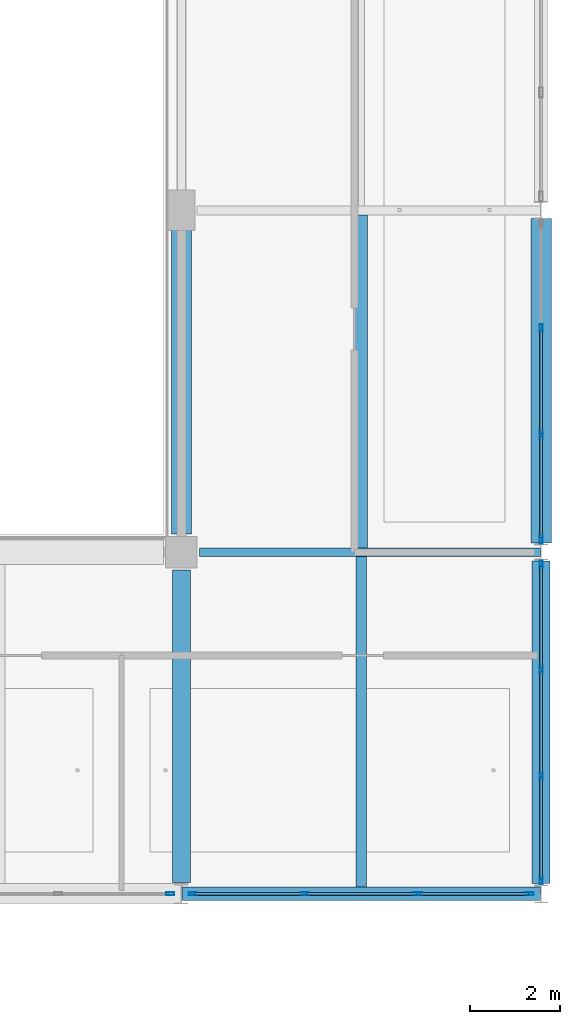
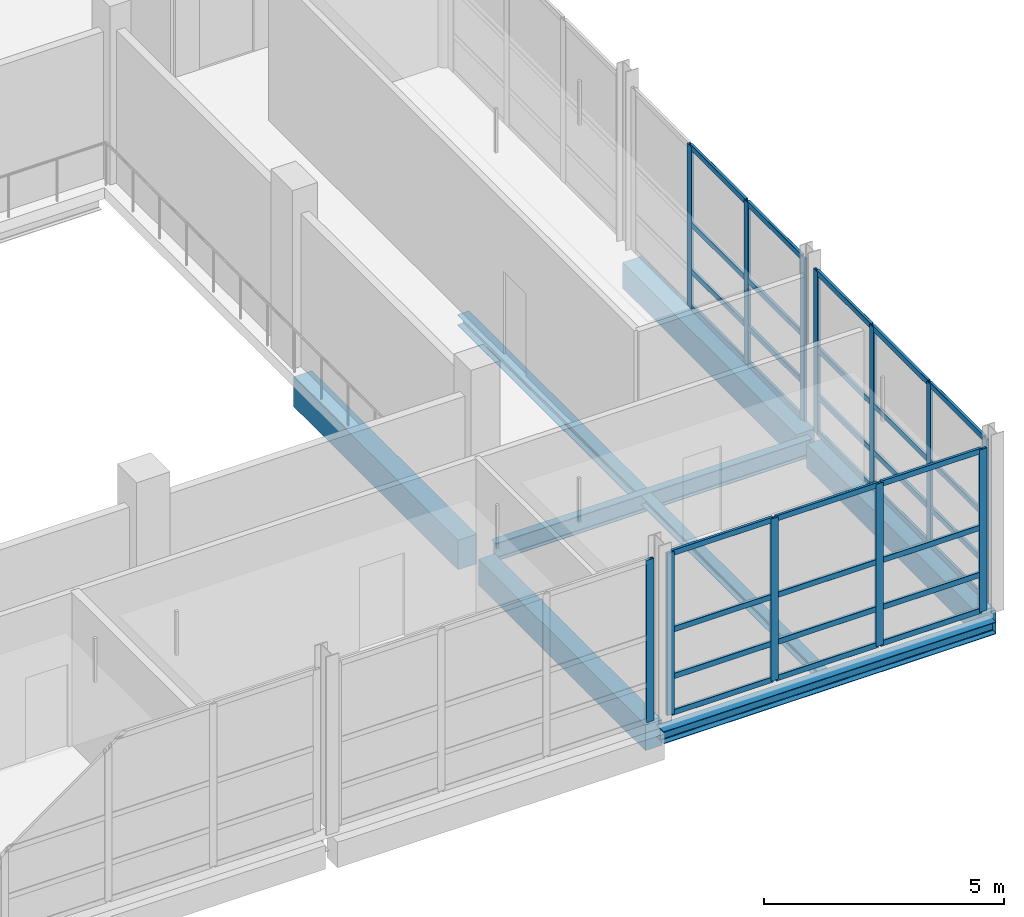
# One storey, part 38 of 107: 44 members, 8 beams, 4 elements without a shape of their own.
"""IFC4 building model written with IfcOpenShell, lengths in metres."""

from ifc_helpers import new_model, si_unit, direction, frame, origin, origin_2d, place, context, subcontext, project, spatial, rectangle, hollow_rectangle, i_section, extrude, material, material_profile, profile_set, type_object, element, aggregate, save


model = new_model("IFC4")

# Units and contexts
model_context = context("Model", 3, precision=1e-05, world=origin(), true_north=direction((0.0, 1.0)))
body_context = subcontext(model_context, "Body", "Model", "MODEL_VIEW")
ifc_project = project(units=[si_unit("LENGTHUNIT", "METRE"), si_unit("AREAUNIT", "SQUARE_METRE"), si_unit("VOLUMEUNIT", "CUBIC_METRE"), si_unit("PLANEANGLEUNIT", "RADIAN"), si_unit("MASSUNIT", "GRAM", prefix="KILO")], contexts=[model_context])

# Site, building, storey
site_placement = place(None, origin())
site = spatial("IfcSite", under=ifc_project, at=site_placement, CompositionType="ELEMENT")
building_placement = place(site_placement, origin())
building = spatial("IfcBuilding", under=site, at=building_placement, Name="Khelvaren Railside Concert Hall", CompositionType="ELEMENT")
storey_placement = place(building_placement, frame((0.0, 0.0, 15.0)))
storey = spatial("IfcBuildingStorey", under=building, at=storey_placement, Name="L03", CompositionType="ELEMENT", Elevation=15.0)

# Beams
ifc_material_1 = material(Name="Concrete C40/50", Category="concrete")
ifc_material_profile_1 = material_profile(ifc_material_1, rectangle(XDim=0.39990234375, YDim=0.64990234375, at=origin_2d()), Name="RCB 400x650")
ifc_profile_set_1 = profile_set([ifc_material_profile_1], Name="Concrete C40/50")
beam_type_1 = type_object("IfcBeamType", Name="BM33", PredefinedType="BEAM", material=ifc_profile_set_1)
beam_1_placement = place(storey_placement, frame((176.0, 0.25, -0.60498046875), z_axis=(0.0, 1.0, 0.0), x_axis=(-1.0, 0.0, 0.0)))
element("IfcBeam", 1, at=beam_1_placement, inside=storey, type_object=beam_type_1, Name="V2 L03 Beam Y5.1", PredefinedType="BEAM", context=body_context, shape_type="SweptSolid", body=[
    extrude(rectangle(XDim=0.39990234375, YDim=0.64990234375, at=origin_2d()), origin(), (0.0, 0.0, 1.0), 6.949951171875),
])
ifc_material_profile_2 = material_profile(ifc_material_1, rectangle(XDim=0.449951171875, YDim=0.75, at=origin_2d()), Name="RCB 450x750")
ifc_profile_set_2 = profile_set([ifc_material_profile_2], Name="Concrete C40/50")
beam_type_2 = type_object("IfcBeamType", Name="BM83", PredefinedType="BEAM", material=ifc_profile_set_2)
beam_2_placement = place(storey_placement, frame((176.0, 8.0, -0.655029296875), z_axis=(0.0, 1.0, 0.0), x_axis=(-1.0, 0.0, 0.0)))
element("IfcBeam", 2, at=beam_2_placement, inside=storey, type_object=beam_type_2, Name="V2 L03 Beam Y5.2", PredefinedType="BEAM", context=body_context, shape_type="SweptSolid", body=[
    extrude(rectangle(XDim=0.449951171875, YDim=0.75, at=origin_2d()), origin(), (0.0, 0.0, 1.0), 6.85009765625),
])
ifc_material_2 = material(Name="Steel S355", Category="steel")
ifc_material_profile_3 = material_profile(ifc_material_2, i_section(OverallWidth=0.18994140625, OverallDepth=0.449951171875, WebThickness=0.009521484375, FlangeThickness=0.0146484375, FilletRadius=0.02099609375, at=origin_2d()), Name="IPE 450")
ifc_profile_set_3 = profile_set([ifc_material_profile_3], Name="Steel S355")
beam_type_3 = type_object("IfcBeamType", Name="BM95", PredefinedType="BEAM", material=ifc_profile_set_3)
beam_3_placement = place(storey_placement, frame((176.39990234375, 7.60009765625, -0.5048828125), z_axis=(1.0, 0.0, 0.0), x_axis=(0.0, 1.0, 0.0)))
element("IfcBeam", 3, at=beam_3_placement, inside=storey, type_object=beam_type_3, Name="V2 L03 Beam X2.5", PredefinedType="BEAM", context=body_context, shape_type="SweptSolid", body=[
    extrude(i_section(OverallWidth=0.18994140625, OverallDepth=0.449951171875, WebThickness=0.009521484375, FlangeThickness=0.0146484375, FilletRadius=0.02099609375, at=origin_2d()), origin(), (0.0, 0.0, 1.0), 7.590087890625),
])

# Curtain wall, member
ifc_material_3 = material(Name="Double-glazed low-E dark acoustic glass", Category="glass")
curtain_wall_type_1 = type_object("IfcCurtainWallType", Name="CW69", PredefinedType="USERDEFINED", material=ifc_material_3)
curtain_wall_1_placement = place(storey_placement, origin())
curtain_wall_1 = element("IfcCurtainWall", 4, at=curtain_wall_1_placement, inside=storey, type_object=curtain_wall_type_1, Name="Unitised Curtain Wall CW-V2-L03-S-168", ObjectType="UNITISED CURTAIN WALL", PredefinedType="USERDEFINED")
ifc_material_4 = material(Name="Anodised architectural aluminium 6063-T6", Category="aluminium")
ifc_material_profile_4 = material_profile(ifc_material_4, hollow_rectangle(XDim=0.06494140625, YDim=0.179931640625, WallThickness=0.00390625, InnerFilletRadius=0.001953125, OuterFilletRadius=0.00390625, at=origin_2d()), Name="CWM 65x180x4")
ifc_profile_set_4 = profile_set([ifc_material_profile_4], Name="Anodised architectural aluminium 6063-T6")
member_type_1 = type_object("IfcMemberType", Name="CWM63", PredefinedType="MULLION", material=ifc_profile_set_4)
member_1_placement = place(storey_placement, frame((175.75, 0.0, 0.0), z_axis=(0.0, 0.0, 1.0), x_axis=(0.0, -1.0, 0.0)))
member_1 = element("IfcMember", 5, at=member_1_placement, type_object=member_type_1, Name="CW69 mullion 1", PredefinedType="MULLION", context=body_context, shape_type="SweptSolid", body=[
    extrude(hollow_rectangle(XDim=0.06494140625, YDim=0.179931640625, WallThickness=0.00390625, InnerFilletRadius=0.001953125, OuterFilletRadius=0.00390625, at=origin_2d()), origin(), (0.0, 0.0, 1.0), 4.1201171875),
])
aggregate(curtain_wall_1, [member_1])

# Curtain wall, members
curtain_wall_type_2 = type_object("IfcCurtainWallType", Name="CW32", PredefinedType="USERDEFINED", material=ifc_material_3)
curtain_wall_2_placement = place(storey_placement, origin())
curtain_wall_2 = element("IfcCurtainWall", 6, at=curtain_wall_2_placement, inside=storey, type_object=curtain_wall_type_2, Name="Unitised Curtain Wall CW-V2-L03-S-176", ObjectType="UNITISED CURTAIN WALL", PredefinedType="USERDEFINED")
member_2_placement = place(storey_placement, frame((183.75, 0.0, 0.0), z_axis=(0.0, 0.0, 1.0), x_axis=(0.0, -1.0, 0.0)))
member_2 = element("IfcMember", 7, at=member_2_placement, type_object=member_type_1, Name="CW32 mullion 1", PredefinedType="MULLION", context=body_context, shape_type="SweptSolid", body=[
    extrude(hollow_rectangle(XDim=0.06494140625, YDim=0.179931640625, WallThickness=0.00390625, InnerFilletRadius=0.001953125, OuterFilletRadius=0.00390625, at=origin_2d()), origin(), (0.0, 0.0, 1.0), 4.1201171875),
])
member_3_placement = place(storey_placement, frame((181.2607421875, 0.0, 0.0), z_axis=(0.0, 0.0, 1.0), x_axis=(0.0, -1.0, 0.0)))
member_3 = element("IfcMember", 8, at=member_3_placement, type_object=member_type_1, Name="CW32 mullion 2", PredefinedType="MULLION", context=body_context, shape_type="SweptSolid", body=[
    extrude(hollow_rectangle(XDim=0.06494140625, YDim=0.179931640625, WallThickness=0.00390625, InnerFilletRadius=0.001953125, OuterFilletRadius=0.00390625, at=origin_2d()), origin(), (0.0, 0.0, 1.0), 4.1201171875),
])
member_4_placement = place(storey_placement, frame((178.7392578125, 0.0, 0.0), z_axis=(0.0, 0.0, 1.0), x_axis=(0.0, -1.0, 0.0)))
member_4 = element("IfcMember", 9, at=member_4_placement, type_object=member_type_1, Name="CW32 mullion 3", PredefinedType="MULLION", context=body_context, shape_type="SweptSolid", body=[
    extrude(hollow_rectangle(XDim=0.06494140625, YDim=0.179931640625, WallThickness=0.00390625, InnerFilletRadius=0.001953125, OuterFilletRadius=0.00390625, at=origin_2d()), origin(), (0.0, 0.0, 1.0), 4.1201171875),
])
member_5_placement = place(storey_placement, frame((176.25, 0.0, 0.0), z_axis=(0.0, 0.0, 1.0), x_axis=(0.0, -1.0, 0.0)))
member_5 = element("IfcMember", 10, at=member_5_placement, type_object=member_type_1, Name="CW32 mullion 4", PredefinedType="MULLION", context=body_context, shape_type="SweptSolid", body=[
    extrude(hollow_rectangle(XDim=0.06494140625, YDim=0.179931640625, WallThickness=0.00390625, InnerFilletRadius=0.001953125, OuterFilletRadius=0.00390625, at=origin_2d()), origin(), (0.0, 0.0, 1.0), 4.1201171875),
])

curtain_wall_type_3 = type_object("IfcCurtainWallType", Name="CW65", PredefinedType="USERDEFINED", material=ifc_material_3)
curtain_wall_3_placement = place(storey_placement, origin())
curtain_wall_3 = element("IfcCurtainWall", 11, at=curtain_wall_3_placement, inside=storey, type_object=curtain_wall_type_3, Name="Unitised Curtain Wall CW-V2-L03-E-0", ObjectType="UNITISED CURTAIN WALL", PredefinedType="USERDEFINED")
member_6_placement = place(storey_placement, frame((184.0, 7.320068359375, 0.0), z_axis=(0.0, 0.0, 1.0), x_axis=(1.0, 0.0, 0.0)))
member_6 = element("IfcMember", 12, at=member_6_placement, type_object=member_type_1, Name="CW65 mullion 1", PredefinedType="MULLION", context=body_context, shape_type="SweptSolid", body=[
    extrude(hollow_rectangle(XDim=0.06494140625, YDim=0.179931640625, WallThickness=0.00390625, InnerFilletRadius=0.001953125, OuterFilletRadius=0.00390625, at=origin_2d()), origin(), (0.0, 0.0, 1.0), 4.1201171875),
])
member_7_placement = place(storey_placement, frame((184.0, 4.99072265625, 0.0), z_axis=(0.0, 0.0, 1.0), x_axis=(1.0, 0.0, 0.0)))
member_7 = element("IfcMember", 13, at=member_7_placement, type_object=member_type_1, Name="CW65 mullion 2", PredefinedType="MULLION", context=body_context, shape_type="SweptSolid", body=[
    extrude(hollow_rectangle(XDim=0.06494140625, YDim=0.179931640625, WallThickness=0.00390625, InnerFilletRadius=0.001953125, OuterFilletRadius=0.00390625, at=origin_2d()), origin(), (0.0, 0.0, 1.0), 4.1201171875),
])
member_8_placement = place(storey_placement, frame((184.0, 2.629150390625, 0.0), z_axis=(0.0, 0.0, 1.0), x_axis=(1.0, 0.0, 0.0)))
member_8 = element("IfcMember", 14, at=member_8_placement, type_object=member_type_1, Name="CW65 mullion 3", PredefinedType="MULLION", context=body_context, shape_type="SweptSolid", body=[
    extrude(hollow_rectangle(XDim=0.06494140625, YDim=0.179931640625, WallThickness=0.00390625, InnerFilletRadius=0.001953125, OuterFilletRadius=0.00390625, at=origin_2d()), origin(), (0.0, 0.0, 1.0), 4.1201171875),
])
member_9_placement = place(storey_placement, frame((184.0, 0.300048828125, 0.0), z_axis=(0.0, 0.0, 1.0), x_axis=(1.0, 0.0, 0.0)))
member_9 = element("IfcMember", 15, at=member_9_placement, type_object=member_type_1, Name="CW65 mullion 4", PredefinedType="MULLION", context=body_context, shape_type="SweptSolid", body=[
    extrude(hollow_rectangle(XDim=0.06494140625, YDim=0.179931640625, WallThickness=0.00390625, InnerFilletRadius=0.001953125, OuterFilletRadius=0.00390625, at=origin_2d()), origin(), (0.0, 0.0, 1.0), 4.1201171875),
])

curtain_wall_4_placement = place(storey_placement, origin())
curtain_wall_4 = element("IfcCurtainWall", 16, at=curtain_wall_4_placement, inside=storey, type_object=curtain_wall_type_1, Name="Unitised Curtain Wall CW-V2-L03-E-8", ObjectType="UNITISED CURTAIN WALL", PredefinedType="USERDEFINED")
member_10_placement = place(storey_placement, frame((184.0, 12.57421875, 0.0), z_axis=(0.0, 0.0, 1.0), x_axis=(1.0, 0.0, 0.0)))
member_10 = element("IfcMember", 17, at=member_10_placement, type_object=member_type_1, Name="CW69 mullion 2", PredefinedType="MULLION", context=body_context, shape_type="SweptSolid", body=[
    extrude(hollow_rectangle(XDim=0.06494140625, YDim=0.179931640625, WallThickness=0.00390625, InnerFilletRadius=0.001953125, OuterFilletRadius=0.00390625, at=origin_2d()), origin(), (0.0, 0.0, 1.0), 4.1201171875),
])
member_11_placement = place(storey_placement, frame((184.0, 10.2109375, 0.0), z_axis=(0.0, 0.0, 1.0), x_axis=(1.0, 0.0, 0.0)))
member_11 = element("IfcMember", 18, at=member_11_placement, type_object=member_type_1, Name="CW69 mullion 3", PredefinedType="MULLION", context=body_context, shape_type="SweptSolid", body=[
    extrude(hollow_rectangle(XDim=0.06494140625, YDim=0.179931640625, WallThickness=0.00390625, InnerFilletRadius=0.001953125, OuterFilletRadius=0.00390625, at=origin_2d()), origin(), (0.0, 0.0, 1.0), 4.1201171875),
])
member_12_placement = place(storey_placement, frame((184.0, 7.8798828125, 0.0), z_axis=(0.0, 0.0, 1.0), x_axis=(1.0, 0.0, 0.0)))
member_12 = element("IfcMember", 19, at=member_12_placement, type_object=member_type_1, Name="CW69 mullion 4", PredefinedType="MULLION", context=body_context, shape_type="SweptSolid", body=[
    extrude(hollow_rectangle(XDim=0.06494140625, YDim=0.179931640625, WallThickness=0.00390625, InnerFilletRadius=0.001953125, OuterFilletRadius=0.00390625, at=origin_2d()), origin(), (0.0, 0.0, 1.0), 4.1201171875),
])

# Member
ifc_material_profile_5 = material_profile(ifc_material_4, hollow_rectangle(XDim=0.06494140625, YDim=0.139892578125, WallThickness=0.00390625, InnerFilletRadius=0.001953125, OuterFilletRadius=0.00390625, at=origin_2d()), Name="CWT 65x140x4")
ifc_profile_set_5 = profile_set([ifc_material_profile_5], Name="Anodised architectural aluminium 6063-T6")
member_type_2 = type_object("IfcMemberType", Name="CWT72", PredefinedType="USERDEFINED", material=ifc_profile_set_5)
member_13_placement = place(storey_placement, frame((183.717529296875, 0.0, 0.032470703125), z_axis=(-1.0, 0.0, 0.0), x_axis=(0.0, -1.0, 0.0)))
member_13 = element("IfcMember", 20, at=member_13_placement, type_object=member_type_2, Name="CW32 transom 1.1", ObjectType="TRANSOM", PredefinedType="USERDEFINED", context=body_context, shape_type="SweptSolid", body=[
    extrude(hollow_rectangle(XDim=0.06494140625, YDim=0.139892578125, WallThickness=0.00390625, InnerFilletRadius=0.001953125, OuterFilletRadius=0.00390625, at=origin_2d()), origin(), (0.0, 0.0, 1.0), 2.42431640625),
])

member_14_placement = place(storey_placement, frame((183.717529296875, 0.0, 0.949951171875), z_axis=(-1.0, 0.0, 0.0), x_axis=(0.0, -1.0, 0.0)))
member_14 = element("IfcMember", 21, at=member_14_placement, type_object=member_type_2, Name="CW32 transom 1.2", ObjectType="TRANSOM", PredefinedType="USERDEFINED", context=body_context, shape_type="SweptSolid", body=[
    extrude(hollow_rectangle(XDim=0.06494140625, YDim=0.139892578125, WallThickness=0.00390625, InnerFilletRadius=0.001953125, OuterFilletRadius=0.00390625, at=origin_2d()), origin(), (0.0, 0.0, 1.0), 2.42431640625),
])

member_15_placement = place(storey_placement, frame((183.717529296875, 0.0, 2.142333984375), z_axis=(-1.0, 0.0, 0.0), x_axis=(0.0, -1.0, 0.0)))
member_15 = element("IfcMember", 22, at=member_15_placement, type_object=member_type_2, Name="CW32 transom 1.3", ObjectType="TRANSOM", PredefinedType="USERDEFINED", context=body_context, shape_type="SweptSolid", body=[
    extrude(hollow_rectangle(XDim=0.06494140625, YDim=0.139892578125, WallThickness=0.00390625, InnerFilletRadius=0.001953125, OuterFilletRadius=0.00390625, at=origin_2d()), origin(), (0.0, 0.0, 1.0), 2.42431640625),
])

member_16_placement = place(storey_placement, frame((183.717529296875, 0.0, 4.08740234375), z_axis=(-1.0, 0.0, 0.0), x_axis=(0.0, -1.0, 0.0)))
member_16 = element("IfcMember", 23, at=member_16_placement, type_object=member_type_2, Name="CW32 transom 1.4", ObjectType="TRANSOM", PredefinedType="USERDEFINED", context=body_context, shape_type="SweptSolid", body=[
    extrude(hollow_rectangle(XDim=0.06494140625, YDim=0.139892578125, WallThickness=0.00390625, InnerFilletRadius=0.001953125, OuterFilletRadius=0.00390625, at=origin_2d()), origin(), (0.0, 0.0, 1.0), 2.42431640625),
])

member_17_placement = place(storey_placement, frame((181.228271484375, 0.0, 0.032470703125), z_axis=(-1.0, 0.0, 0.0), x_axis=(0.0, -1.0, 0.0)))
member_17 = element("IfcMember", 24, at=member_17_placement, type_object=member_type_2, Name="CW32 transom 2.1", ObjectType="TRANSOM", PredefinedType="USERDEFINED", context=body_context, shape_type="SweptSolid", body=[
    extrude(hollow_rectangle(XDim=0.06494140625, YDim=0.139892578125, WallThickness=0.00390625, InnerFilletRadius=0.001953125, OuterFilletRadius=0.00390625, at=origin_2d()), origin(), (0.0, 0.0, 1.0), 2.45654296875),
])

member_18_placement = place(storey_placement, frame((181.228271484375, 0.0, 0.949951171875), z_axis=(-1.0, 0.0, 0.0), x_axis=(0.0, -1.0, 0.0)))
member_18 = element("IfcMember", 25, at=member_18_placement, type_object=member_type_2, Name="CW32 transom 2.2", ObjectType="TRANSOM", PredefinedType="USERDEFINED", context=body_context, shape_type="SweptSolid", body=[
    extrude(hollow_rectangle(XDim=0.06494140625, YDim=0.139892578125, WallThickness=0.00390625, InnerFilletRadius=0.001953125, OuterFilletRadius=0.00390625, at=origin_2d()), origin(), (0.0, 0.0, 1.0), 2.45654296875),
])

member_19_placement = place(storey_placement, frame((181.228271484375, 0.0, 2.142333984375), z_axis=(-1.0, 0.0, 0.0), x_axis=(0.0, -1.0, 0.0)))
member_19 = element("IfcMember", 26, at=member_19_placement, type_object=member_type_2, Name="CW32 transom 2.3", ObjectType="TRANSOM", PredefinedType="USERDEFINED", context=body_context, shape_type="SweptSolid", body=[
    extrude(hollow_rectangle(XDim=0.06494140625, YDim=0.139892578125, WallThickness=0.00390625, InnerFilletRadius=0.001953125, OuterFilletRadius=0.00390625, at=origin_2d()), origin(), (0.0, 0.0, 1.0), 2.45654296875),
])

member_20_placement = place(storey_placement, frame((181.228271484375, 0.0, 4.08740234375), z_axis=(-1.0, 0.0, 0.0), x_axis=(0.0, -1.0, 0.0)))
member_20 = element("IfcMember", 27, at=member_20_placement, type_object=member_type_2, Name="CW32 transom 2.4", ObjectType="TRANSOM", PredefinedType="USERDEFINED", context=body_context, shape_type="SweptSolid", body=[
    extrude(hollow_rectangle(XDim=0.06494140625, YDim=0.139892578125, WallThickness=0.00390625, InnerFilletRadius=0.001953125, OuterFilletRadius=0.00390625, at=origin_2d()), origin(), (0.0, 0.0, 1.0), 2.45654296875),
])

member_21_placement = place(storey_placement, frame((178.706787109375, 0.0, 0.032470703125), z_axis=(-1.0, 0.0, 0.0), x_axis=(0.0, -1.0, 0.0)))
member_21 = element("IfcMember", 28, at=member_21_placement, type_object=member_type_2, Name="CW32 transom 3.1", ObjectType="TRANSOM", PredefinedType="USERDEFINED", context=body_context, shape_type="SweptSolid", body=[
    extrude(hollow_rectangle(XDim=0.06494140625, YDim=0.139892578125, WallThickness=0.00390625, InnerFilletRadius=0.001953125, OuterFilletRadius=0.00390625, at=origin_2d()), origin(), (0.0, 0.0, 1.0), 2.42431640625),
])

member_22_placement = place(storey_placement, frame((178.706787109375, 0.0, 0.949951171875), z_axis=(-1.0, 0.0, 0.0), x_axis=(0.0, -1.0, 0.0)))
member_22 = element("IfcMember", 29, at=member_22_placement, type_object=member_type_2, Name="CW32 transom 3.2", ObjectType="TRANSOM", PredefinedType="USERDEFINED", context=body_context, shape_type="SweptSolid", body=[
    extrude(hollow_rectangle(XDim=0.06494140625, YDim=0.139892578125, WallThickness=0.00390625, InnerFilletRadius=0.001953125, OuterFilletRadius=0.00390625, at=origin_2d()), origin(), (0.0, 0.0, 1.0), 2.42431640625),
])

member_23_placement = place(storey_placement, frame((178.706787109375, 0.0, 2.142333984375), z_axis=(-1.0, 0.0, 0.0), x_axis=(0.0, -1.0, 0.0)))
member_23 = element("IfcMember", 30, at=member_23_placement, type_object=member_type_2, Name="CW32 transom 3.3", ObjectType="TRANSOM", PredefinedType="USERDEFINED", context=body_context, shape_type="SweptSolid", body=[
    extrude(hollow_rectangle(XDim=0.06494140625, YDim=0.139892578125, WallThickness=0.00390625, InnerFilletRadius=0.001953125, OuterFilletRadius=0.00390625, at=origin_2d()), origin(), (0.0, 0.0, 1.0), 2.42431640625),
])

member_24_placement = place(storey_placement, frame((178.706787109375, 0.0, 4.08740234375), z_axis=(-1.0, 0.0, 0.0), x_axis=(0.0, -1.0, 0.0)))
member_24 = element("IfcMember", 31, at=member_24_placement, type_object=member_type_2, Name="CW32 transom 3.4", ObjectType="TRANSOM", PredefinedType="USERDEFINED", context=body_context, shape_type="SweptSolid", body=[
    extrude(hollow_rectangle(XDim=0.06494140625, YDim=0.139892578125, WallThickness=0.00390625, InnerFilletRadius=0.001953125, OuterFilletRadius=0.00390625, at=origin_2d()), origin(), (0.0, 0.0, 1.0), 2.42431640625),
])

aggregate(curtain_wall_2, [member_2, member_3, member_4, member_5, member_13, member_14, member_15, member_16, member_17, member_18, member_19, member_20, member_21, member_22, member_23, member_24])

member_25_placement = place(storey_placement, frame((184.0, 7.28759765625, 0.032470703125), z_axis=(0.0, -1.0, 0.0), x_axis=(1.0, 0.0, 0.0)))
member_25 = element("IfcMember", 32, at=member_25_placement, type_object=member_type_2, Name="CW65 transom 1.1", ObjectType="TRANSOM", PredefinedType="USERDEFINED", context=body_context, shape_type="SweptSolid", body=[
    extrude(hollow_rectangle(XDim=0.06494140625, YDim=0.139892578125, WallThickness=0.00390625, InnerFilletRadius=0.001953125, OuterFilletRadius=0.00390625, at=origin_2d()), origin(), (0.0, 0.0, 1.0), 2.26416015625),
])

member_26_placement = place(storey_placement, frame((184.0, 7.28759765625, 0.949951171875), z_axis=(0.0, -1.0, 0.0), x_axis=(1.0, 0.0, 0.0)))
member_26 = element("IfcMember", 33, at=member_26_placement, type_object=member_type_2, Name="CW65 transom 1.2", ObjectType="TRANSOM", PredefinedType="USERDEFINED", context=body_context, shape_type="SweptSolid", body=[
    extrude(hollow_rectangle(XDim=0.06494140625, YDim=0.139892578125, WallThickness=0.00390625, InnerFilletRadius=0.001953125, OuterFilletRadius=0.00390625, at=origin_2d()), origin(), (0.0, 0.0, 1.0), 2.26416015625),
])

member_27_placement = place(storey_placement, frame((184.0, 7.28759765625, 2.142333984375), z_axis=(0.0, -1.0, 0.0), x_axis=(1.0, 0.0, 0.0)))
member_27 = element("IfcMember", 34, at=member_27_placement, type_object=member_type_2, Name="CW65 transom 1.3", ObjectType="TRANSOM", PredefinedType="USERDEFINED", context=body_context, shape_type="SweptSolid", body=[
    extrude(hollow_rectangle(XDim=0.06494140625, YDim=0.139892578125, WallThickness=0.00390625, InnerFilletRadius=0.001953125, OuterFilletRadius=0.00390625, at=origin_2d()), origin(), (0.0, 0.0, 1.0), 2.26416015625),
])

member_28_placement = place(storey_placement, frame((184.0, 7.28759765625, 4.08740234375), z_axis=(0.0, -1.0, 0.0), x_axis=(1.0, 0.0, 0.0)))
member_28 = element("IfcMember", 35, at=member_28_placement, type_object=member_type_2, Name="CW65 transom 1.4", ObjectType="TRANSOM", PredefinedType="USERDEFINED", context=body_context, shape_type="SweptSolid", body=[
    extrude(hollow_rectangle(XDim=0.06494140625, YDim=0.139892578125, WallThickness=0.00390625, InnerFilletRadius=0.001953125, OuterFilletRadius=0.00390625, at=origin_2d()), origin(), (0.0, 0.0, 1.0), 2.26416015625),
])

member_29_placement = place(storey_placement, frame((184.0, 4.958251953125, 0.032470703125), z_axis=(0.0, -1.0, 0.0), x_axis=(1.0, 0.0, 0.0)))
member_29 = element("IfcMember", 36, at=member_29_placement, type_object=member_type_2, Name="CW65 transom 2.1", ObjectType="TRANSOM", PredefinedType="USERDEFINED", context=body_context, shape_type="SweptSolid", body=[
    extrude(hollow_rectangle(XDim=0.06494140625, YDim=0.139892578125, WallThickness=0.00390625, InnerFilletRadius=0.001953125, OuterFilletRadius=0.00390625, at=origin_2d()), origin(), (0.0, 0.0, 1.0), 2.296630859375),
])

member_30_placement = place(storey_placement, frame((184.0, 4.958251953125, 0.949951171875), z_axis=(0.0, -1.0, 0.0), x_axis=(1.0, 0.0, 0.0)))
member_30 = element("IfcMember", 37, at=member_30_placement, type_object=member_type_2, Name="CW65 transom 2.2", ObjectType="TRANSOM", PredefinedType="USERDEFINED", context=body_context, shape_type="SweptSolid", body=[
    extrude(hollow_rectangle(XDim=0.06494140625, YDim=0.139892578125, WallThickness=0.00390625, InnerFilletRadius=0.001953125, OuterFilletRadius=0.00390625, at=origin_2d()), origin(), (0.0, 0.0, 1.0), 2.296630859375),
])

member_31_placement = place(storey_placement, frame((184.0, 4.958251953125, 2.142333984375), z_axis=(0.0, -1.0, 0.0), x_axis=(1.0, 0.0, 0.0)))
member_31 = element("IfcMember", 38, at=member_31_placement, type_object=member_type_2, Name="CW65 transom 2.3", ObjectType="TRANSOM", PredefinedType="USERDEFINED", context=body_context, shape_type="SweptSolid", body=[
    extrude(hollow_rectangle(XDim=0.06494140625, YDim=0.139892578125, WallThickness=0.00390625, InnerFilletRadius=0.001953125, OuterFilletRadius=0.00390625, at=origin_2d()), origin(), (0.0, 0.0, 1.0), 2.296630859375),
])

member_32_placement = place(storey_placement, frame((184.0, 4.958251953125, 4.08740234375), z_axis=(0.0, -1.0, 0.0), x_axis=(1.0, 0.0, 0.0)))
member_32 = element("IfcMember", 39, at=member_32_placement, type_object=member_type_2, Name="CW65 transom 2.4", ObjectType="TRANSOM", PredefinedType="USERDEFINED", context=body_context, shape_type="SweptSolid", body=[
    extrude(hollow_rectangle(XDim=0.06494140625, YDim=0.139892578125, WallThickness=0.00390625, InnerFilletRadius=0.001953125, OuterFilletRadius=0.00390625, at=origin_2d()), origin(), (0.0, 0.0, 1.0), 2.296630859375),
])

member_33_placement = place(storey_placement, frame((184.0, 2.5966796875, 0.032470703125), z_axis=(0.0, -1.0, 0.0), x_axis=(1.0, 0.0, 0.0)))
member_33 = element("IfcMember", 40, at=member_33_placement, type_object=member_type_2, Name="CW65 transom 3.1", ObjectType="TRANSOM", PredefinedType="USERDEFINED", context=body_context, shape_type="SweptSolid", body=[
    extrude(hollow_rectangle(XDim=0.06494140625, YDim=0.139892578125, WallThickness=0.00390625, InnerFilletRadius=0.001953125, OuterFilletRadius=0.00390625, at=origin_2d()), origin(), (0.0, 0.0, 1.0), 2.26416015625),
])

member_34_placement = place(storey_placement, frame((184.0, 2.5966796875, 0.949951171875), z_axis=(0.0, -1.0, 0.0), x_axis=(1.0, 0.0, 0.0)))
member_34 = element("IfcMember", 41, at=member_34_placement, type_object=member_type_2, Name="CW65 transom 3.2", ObjectType="TRANSOM", PredefinedType="USERDEFINED", context=body_context, shape_type="SweptSolid", body=[
    extrude(hollow_rectangle(XDim=0.06494140625, YDim=0.139892578125, WallThickness=0.00390625, InnerFilletRadius=0.001953125, OuterFilletRadius=0.00390625, at=origin_2d()), origin(), (0.0, 0.0, 1.0), 2.26416015625),
])

member_35_placement = place(storey_placement, frame((184.0, 2.5966796875, 2.142333984375), z_axis=(0.0, -1.0, 0.0), x_axis=(1.0, 0.0, 0.0)))
member_35 = element("IfcMember", 42, at=member_35_placement, type_object=member_type_2, Name="CW65 transom 3.3", ObjectType="TRANSOM", PredefinedType="USERDEFINED", context=body_context, shape_type="SweptSolid", body=[
    extrude(hollow_rectangle(XDim=0.06494140625, YDim=0.139892578125, WallThickness=0.00390625, InnerFilletRadius=0.001953125, OuterFilletRadius=0.00390625, at=origin_2d()), origin(), (0.0, 0.0, 1.0), 2.26416015625),
])

member_36_placement = place(storey_placement, frame((184.0, 2.5966796875, 4.08740234375), z_axis=(0.0, -1.0, 0.0), x_axis=(1.0, 0.0, 0.0)))
member_36 = element("IfcMember", 43, at=member_36_placement, type_object=member_type_2, Name="CW65 transom 3.4", ObjectType="TRANSOM", PredefinedType="USERDEFINED", context=body_context, shape_type="SweptSolid", body=[
    extrude(hollow_rectangle(XDim=0.06494140625, YDim=0.139892578125, WallThickness=0.00390625, InnerFilletRadius=0.001953125, OuterFilletRadius=0.00390625, at=origin_2d()), origin(), (0.0, 0.0, 1.0), 2.26416015625),
])

aggregate(curtain_wall_3, [member_6, member_7, member_8, member_9, member_25, member_26, member_27, member_28, member_29, member_30, member_31, member_32, member_33, member_34, member_35, member_36])

member_37_placement = place(storey_placement, frame((184.0, 12.541748046875, 0.032470703125), z_axis=(0.0, -1.0, 0.0), x_axis=(1.0, 0.0, 0.0)))
member_37 = element("IfcMember", 44, at=member_37_placement, type_object=member_type_2, Name="CW69 transom 2.1", ObjectType="TRANSOM", PredefinedType="USERDEFINED", context=body_context, shape_type="SweptSolid", body=[
    extrude(hollow_rectangle(XDim=0.06494140625, YDim=0.139892578125, WallThickness=0.00390625, InnerFilletRadius=0.001953125, OuterFilletRadius=0.00390625, at=origin_2d()), origin(), (0.0, 0.0, 1.0), 2.29833984375),
])

member_38_placement = place(storey_placement, frame((184.0, 12.541748046875, 0.949951171875), z_axis=(0.0, -1.0, 0.0), x_axis=(1.0, 0.0, 0.0)))
member_38 = element("IfcMember", 45, at=member_38_placement, type_object=member_type_2, Name="CW69 transom 2.2", ObjectType="TRANSOM", PredefinedType="USERDEFINED", context=body_context, shape_type="SweptSolid", body=[
    extrude(hollow_rectangle(XDim=0.06494140625, YDim=0.139892578125, WallThickness=0.00390625, InnerFilletRadius=0.001953125, OuterFilletRadius=0.00390625, at=origin_2d()), origin(), (0.0, 0.0, 1.0), 2.29833984375),
])

member_39_placement = place(storey_placement, frame((184.0, 12.541748046875, 2.142333984375), z_axis=(0.0, -1.0, 0.0), x_axis=(1.0, 0.0, 0.0)))
member_39 = element("IfcMember", 46, at=member_39_placement, type_object=member_type_2, Name="CW69 transom 2.3", ObjectType="TRANSOM", PredefinedType="USERDEFINED", context=body_context, shape_type="SweptSolid", body=[
    extrude(hollow_rectangle(XDim=0.06494140625, YDim=0.139892578125, WallThickness=0.00390625, InnerFilletRadius=0.001953125, OuterFilletRadius=0.00390625, at=origin_2d()), origin(), (0.0, 0.0, 1.0), 2.29833984375),
])

member_40_placement = place(storey_placement, frame((184.0, 12.541748046875, 4.08740234375), z_axis=(0.0, -1.0, 0.0), x_axis=(1.0, 0.0, 0.0)))
member_40 = element("IfcMember", 47, at=member_40_placement, type_object=member_type_2, Name="CW69 transom 2.4", ObjectType="TRANSOM", PredefinedType="USERDEFINED", context=body_context, shape_type="SweptSolid", body=[
    extrude(hollow_rectangle(XDim=0.06494140625, YDim=0.139892578125, WallThickness=0.00390625, InnerFilletRadius=0.001953125, OuterFilletRadius=0.00390625, at=origin_2d()), origin(), (0.0, 0.0, 1.0), 2.29833984375),
])

member_41_placement = place(storey_placement, frame((184.0, 10.17822265625, 0.032470703125), z_axis=(0.0, -1.0, 0.0), x_axis=(1.0, 0.0, 0.0)))
member_41 = element("IfcMember", 48, at=member_41_placement, type_object=member_type_2, Name="CW69 transom 3.1", ObjectType="TRANSOM", PredefinedType="USERDEFINED", context=body_context, shape_type="SweptSolid", body=[
    extrude(hollow_rectangle(XDim=0.06494140625, YDim=0.139892578125, WallThickness=0.00390625, InnerFilletRadius=0.001953125, OuterFilletRadius=0.00390625, at=origin_2d()), origin(), (0.0, 0.0, 1.0), 2.265625),
])

member_42_placement = place(storey_placement, frame((184.0, 10.17822265625, 0.949951171875), z_axis=(0.0, -1.0, 0.0), x_axis=(1.0, 0.0, 0.0)))
member_42 = element("IfcMember", 49, at=member_42_placement, type_object=member_type_2, Name="CW69 transom 3.2", ObjectType="TRANSOM", PredefinedType="USERDEFINED", context=body_context, shape_type="SweptSolid", body=[
    extrude(hollow_rectangle(XDim=0.06494140625, YDim=0.139892578125, WallThickness=0.00390625, InnerFilletRadius=0.001953125, OuterFilletRadius=0.00390625, at=origin_2d()), origin(), (0.0, 0.0, 1.0), 2.265625),
])

member_43_placement = place(storey_placement, frame((184.0, 10.17822265625, 2.142333984375), z_axis=(0.0, -1.0, 0.0), x_axis=(1.0, 0.0, 0.0)))
member_43 = element("IfcMember", 50, at=member_43_placement, type_object=member_type_2, Name="CW69 transom 3.3", ObjectType="TRANSOM", PredefinedType="USERDEFINED", context=body_context, shape_type="SweptSolid", body=[
    extrude(hollow_rectangle(XDim=0.06494140625, YDim=0.139892578125, WallThickness=0.00390625, InnerFilletRadius=0.001953125, OuterFilletRadius=0.00390625, at=origin_2d()), origin(), (0.0, 0.0, 1.0), 2.265625),
])

member_44_placement = place(storey_placement, frame((184.0, 10.17822265625, 4.08740234375), z_axis=(0.0, -1.0, 0.0), x_axis=(1.0, 0.0, 0.0)))
member_44 = element("IfcMember", 51, at=member_44_placement, type_object=member_type_2, Name="CW69 transom 3.4", ObjectType="TRANSOM", PredefinedType="USERDEFINED", context=body_context, shape_type="SweptSolid", body=[
    extrude(hollow_rectangle(XDim=0.06494140625, YDim=0.139892578125, WallThickness=0.00390625, InnerFilletRadius=0.001953125, OuterFilletRadius=0.00390625, at=origin_2d()), origin(), (0.0, 0.0, 1.0), 2.265625),
])

aggregate(curtain_wall_4, [member_10, member_11, member_12, member_37, member_38, member_39, member_40, member_41, member_42, member_43, member_44])

# Beams
ifc_material_profile_6 = material_profile(ifc_material_2, i_section(OverallWidth=0.280029296875, OverallDepth=0.27001953125, WebThickness=0.008056640625, FlangeThickness=0.012939453125, FilletRadius=0.02392578125, at=origin_2d()), Name="HEA 280")
ifc_profile_set_6 = profile_set([ifc_material_profile_6], Name="Steel S355")
beam_type_4 = type_object("IfcBeamType", Name="JS46", PredefinedType="JOIST", material=ifc_profile_set_6)
beam_4_placement = place(storey_placement, frame((180.0, 7.695068359375, -0.4150390625), z_axis=(0.0, 1.0, 0.0), x_axis=(-1.0, 0.0, 0.0)))
element("IfcBeam", 52, at=beam_4_placement, inside=storey, type_object=beam_type_4, Name="V2 L03 Secondary Joist 5.2", PredefinedType="JOIST", context=body_context, shape_type="SweptSolid", body=[
    extrude(i_section(OverallWidth=0.280029296875, OverallDepth=0.27001953125, WebThickness=0.008056640625, FlangeThickness=0.012939453125, FilletRadius=0.02392578125, at=origin_2d()), origin(), (0.0, 0.0, 1.0), 7.405029296875),
])
ifc_material_profile_7 = material_profile(ifc_material_2, i_section(OverallWidth=0.239990234375, OverallDepth=0.22998046875, WebThickness=0.007568359375, FlangeThickness=0.011962890625, FilletRadius=0.02099609375, at=origin_2d()), Name="HEA 240")
ifc_profile_set_7 = profile_set([ifc_material_profile_7], Name="Steel S355")
beam_type_5 = type_object("IfcBeamType", Name="JS76", PredefinedType="JOIST", material=ifc_profile_set_7)
beam_5_placement = place(storey_placement, frame((180.0, 0.14990234375, -0.39501953125), z_axis=(0.0, 1.0, 0.0), x_axis=(-1.0, 0.0, 0.0)))
element("IfcBeam", 53, at=beam_5_placement, inside=storey, type_object=beam_type_5, Name="V2 L03 Secondary Joist 5.1", PredefinedType="JOIST", context=body_context, shape_type="SweptSolid", body=[
    extrude(i_section(OverallWidth=0.239990234375, OverallDepth=0.22998046875, WebThickness=0.007568359375, FlangeThickness=0.011962890625, FilletRadius=0.02099609375, at=origin_2d()), origin(), (0.0, 0.0, 1.0), 7.35498046875),
])
ifc_material_profile_8 = material_profile(ifc_material_1, rectangle(XDim=0.449951171875, YDim=0.64990234375, at=origin_2d()), Name="RCB 450x650")
ifc_profile_set_8 = profile_set([ifc_material_profile_8], Name="Concrete C40/50")
beam_type_6 = type_object("IfcBeamType", Name="SP34", PredefinedType="SPANDREL", material=ifc_profile_set_8)
beam_6_placement = place(storey_placement, frame((184.0, 7.800048828125, -0.60498046875), z_axis=(0.0, 1.0, 0.0), x_axis=(-1.0, 0.0, 0.0)))
element("IfcBeam", 54, at=beam_6_placement, inside=storey, type_object=beam_type_6, Name="V2 L03 Spandrel Y6.2", PredefinedType="SPANDREL", context=body_context, shape_type="SweptSolid", body=[
    extrude(rectangle(XDim=0.449951171875, YDim=0.64990234375, at=origin_2d()), origin(), (0.0, 0.0, 1.0), 7.219970703125),
])
ifc_material_profile_9 = material_profile(ifc_material_2, i_section(OverallWidth=0.300048828125, OverallDepth=0.31005859375, WebThickness=0.009033203125, FlangeThickness=0.015380859375, FilletRadius=0.027099609375, at=origin_2d()), Name="HEA 320")
ifc_profile_set_9 = profile_set([ifc_material_profile_9], Name="Steel S355")
beam_type_7 = type_object("IfcBeamType", Name="SP66", PredefinedType="SPANDREL", material=ifc_profile_set_9)
beam_7_placement = place(storey_placement, frame((176.010009765625, 0.0, -0.43505859375), z_axis=(1.0, 0.0, 0.0), x_axis=(0.0, 1.0, 0.0)))
element("IfcBeam", 55, at=beam_7_placement, inside=storey, type_object=beam_type_7, Name="V2 L03 Spandrel X1.5", PredefinedType="SPANDREL", context=body_context, shape_type="SweptSolid", body=[
    extrude(i_section(OverallWidth=0.300048828125, OverallDepth=0.31005859375, WebThickness=0.009033203125, FlangeThickness=0.015380859375, FilletRadius=0.027099609375, at=origin_2d()), origin(), (0.0, 0.0, 1.0), 7.97998046875),
])
ifc_material_profile_10 = material_profile(ifc_material_1, rectangle(XDim=0.39990234375, YDim=0.60009765625, at=origin_2d()), Name="RCB 400x600")
ifc_profile_set_10 = profile_set([ifc_material_profile_10], Name="Concrete C40/50")
beam_type_8 = type_object("IfcBeamType", Name="SP75", PredefinedType="SPANDREL", material=ifc_profile_set_10)
beam_8_placement = place(storey_placement, frame((184.0, 0.22509765625, -0.580078125), z_axis=(0.0, 1.0, 0.0), x_axis=(-1.0, 0.0, 0.0)))
element("IfcBeam", 56, at=beam_8_placement, inside=storey, type_object=beam_type_8, Name="V2 L03 Spandrel Y6.1", PredefinedType="SPANDREL", context=body_context, shape_type="SweptSolid", body=[
    extrude(rectangle(XDim=0.39990234375, YDim=0.60009765625, at=origin_2d()), origin(), (0.0, 0.0, 1.0), 7.1748046875),
])

save(model, "model.ifc")
